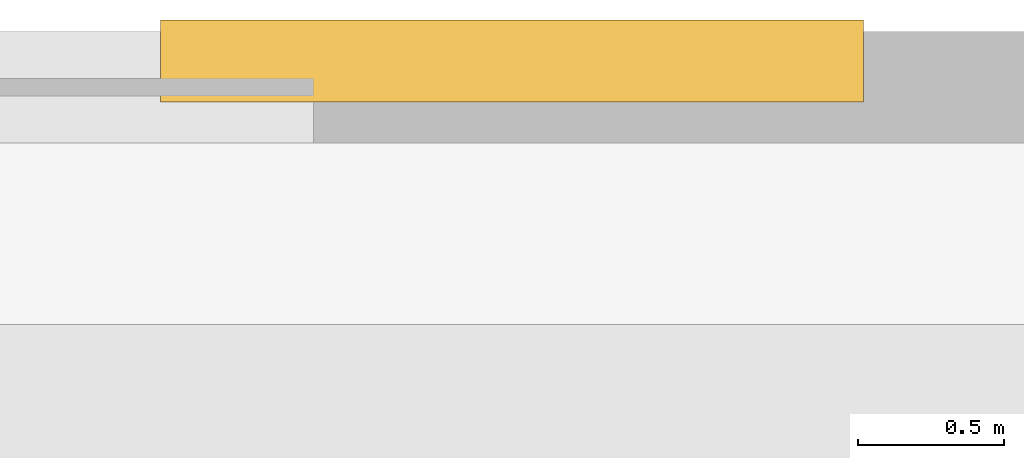
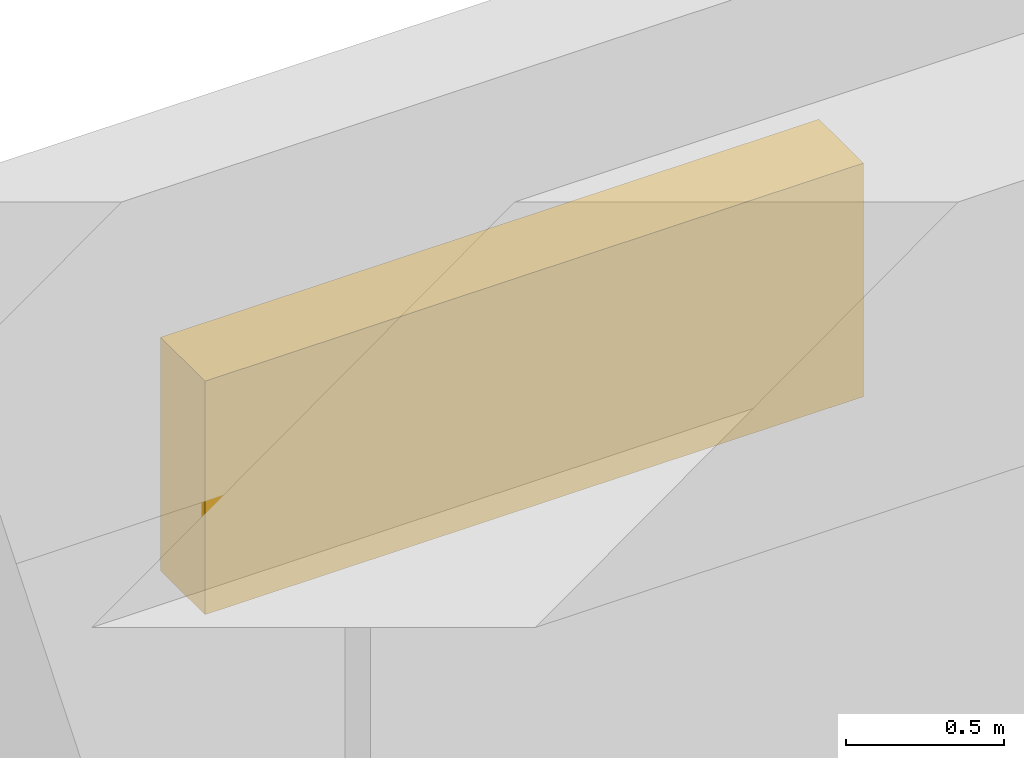
# One storey, part 38 of 39: 1 shading device.
"""IFC4 building model written with IfcOpenShell, lengths in metres."""

from ifc_helpers import new_model, si_unit, direction, frame, origin, origin_2d, place, context, subcontext, project, spatial, rectangle, extrude, source, transform, mapped, material, layer, layer_set, type_object, element, save


model = new_model("IFC4")

# Units and contexts
model_context = context("Model", 3, precision=1e-05, world=origin(), true_north=direction((0.0, 1.0)))
body_context = subcontext(model_context, "Body", "Model", "MODEL_VIEW")
ifc_project = project(units=[si_unit("LENGTHUNIT", "METRE"), si_unit("AREAUNIT", "SQUARE_METRE"), si_unit("VOLUMEUNIT", "CUBIC_METRE"), si_unit("PLANEANGLEUNIT", "RADIAN"), si_unit("MASSUNIT", "GRAM", prefix="KILO")], contexts=[model_context])

# Site, building, storey
site_placement = place(None, origin())
site = spatial("IfcSite", under=ifc_project, at=site_placement, CompositionType="ELEMENT")
building_placement = place(site_placement, origin())
building = spatial("IfcBuilding", under=site, at=building_placement, Name="Khoralis Quay Care Tower", CompositionType="ELEMENT")
storey_placement = place(building_placement, origin())
storey = spatial("IfcBuildingStorey", under=building, at=storey_placement, Name="L00", CompositionType="ELEMENT", Elevation=0.0)

# Shading device
ifc_material = material(Name="Brushed pale anodised aluminium", Category="aluminium")
ifc_layer = layer(ifc_material, 0.080078125)
ifc_layer_set = layer_set([ifc_layer], Name="Brushed pale anodised aluminium")
shading_device_type = type_object("IfcShadingDeviceType", Name="SHD-LOUVRE-300", PredefinedType="USERDEFINED", material=ifc_layer_set)
shared_shape = source(origin(), body_context, "Body", "SweptSolid", [
    extrude(rectangle(XDim=2.39990234375, YDim=0.280029296875, at=origin_2d()), origin(), (0.0, 0.0, 1.0), 0.89990234375),
])
shading_device_placement = place(storey_placement, frame((50.0, 47.89990234375, 2.35009765625), z_axis=(0.0, 0.0, 1.0), x_axis=(1.0, 0.0, 0.0)))
element("IfcShadingDevice", 1, at=shading_device_placement, inside=storey, type_object=shading_device_type, Name="L00 Podium Mechanical Intake Louvre", ObjectType="LOUVRE", PredefinedType="USERDEFINED", context=body_context, shape_type="MappedRepresentation", body=[
    mapped(shared_shape, transform((0.0, 0.0, 0.0), scale=1.0)),
])

save(model, "model.ifc")
